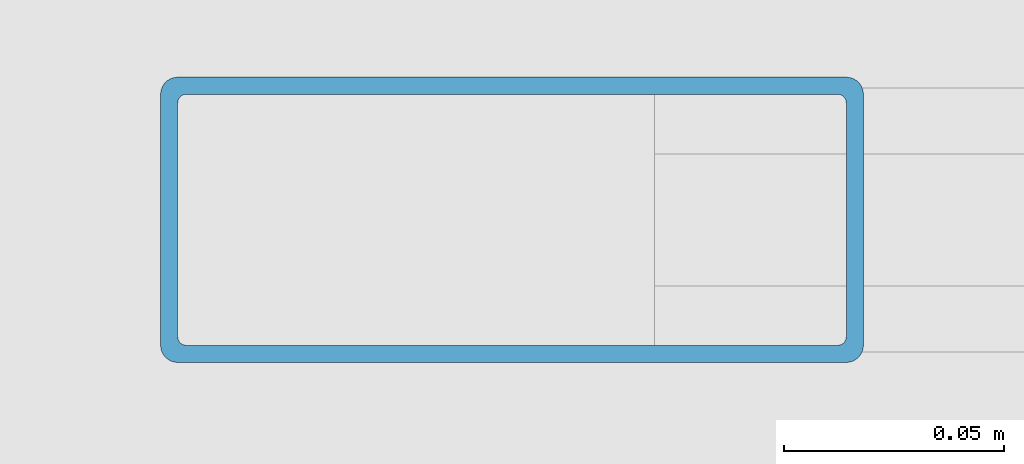
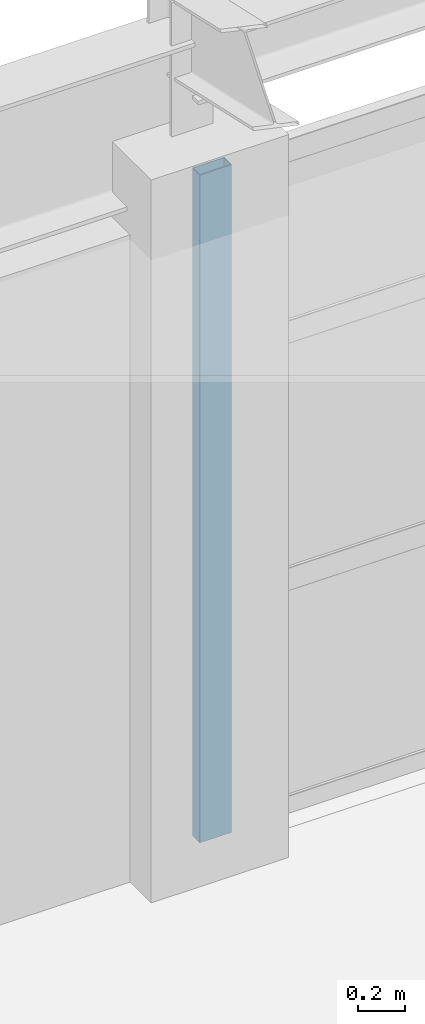
# One storey, part 56 of 101: 1 member, 1 element without a shape of its own.
"""IFC4 building model written with IfcOpenShell, lengths in metres."""

from ifc_helpers import new_model, si_unit, direction, frame, origin, origin_2d, place, context, subcontext, project, spatial, hollow_rectangle, extrude, material, layer, layer_set, material_profile, profile_set, type_object, element, aggregate, save


model = new_model("IFC4")

# Units and contexts
model_context = context("Model", 3, precision=1e-05, world=origin(), true_north=direction((0.0, 1.0)))
body_context = subcontext(model_context, "Body", "Model", "MODEL_VIEW")
ifc_project = project(units=[si_unit("LENGTHUNIT", "METRE"), si_unit("AREAUNIT", "SQUARE_METRE"), si_unit("VOLUMEUNIT", "CUBIC_METRE"), si_unit("PLANEANGLEUNIT", "RADIAN"), si_unit("MASSUNIT", "GRAM", prefix="KILO")], contexts=[model_context])

# Site, building, storey
site_placement = place(None, origin())
site = spatial("IfcSite", under=ifc_project, at=site_placement, CompositionType="ELEMENT")
building_placement = place(site_placement, origin())
building = spatial("IfcBuilding", under=site, at=building_placement, Name="Kemerveld Promenade Tramway Depot", CompositionType="ELEMENT")
storey_placement = place(building_placement, frame((0.0, 0.0, 9.89990234375)))
storey = spatial("IfcBuildingStorey", under=building, at=storey_placement, Name="L02", CompositionType="ELEMENT", Elevation=9.89990234375)

# Curtain wall, member
ifc_material_1 = material(Name="Bronze anodised aluminium and solar glass", Category="aluminium")
ifc_layer = layer(ifc_material_1, 0.159912109375)
ifc_layer_set = layer_set([ifc_layer], Name="CW-SYS-07")
curtain_wall_type = type_object("IfcCurtainWallType", Name="CW-SYS-07", PredefinedType="USERDEFINED", material=ifc_layer_set)
curtain_wall_placement = place(storey_placement, origin())
curtain_wall = element("IfcCurtainWall", 1, at=curtain_wall_placement, inside=storey, type_object=curtain_wall_type, Name="CW-L02-V4N-04", ObjectType="GLAZED_CURTAIN_WALL", PredefinedType="USERDEFINED")
ifc_material_2 = material(Name="Bronze anodised aluminium", Category="aluminium")
ifc_material_profile = material_profile(ifc_material_2, hollow_rectangle(XDim=0.06494140625, YDim=0.159912109375, WallThickness=0.00390625, InnerFilletRadius=0.001953125, OuterFilletRadius=0.00390625, at=origin_2d()), Name="CW-MUL-160x65")
ifc_profile_set = profile_set([ifc_material_profile], Name="Bronze anodised aluminium")
member_type = type_object("IfcMemberType", Name="CW-MUL-A", PredefinedType="MULLION", material=ifc_profile_set)
member_placement = place(storey_placement, frame((79.357421875, 28.800048828125, 0.0), z_axis=(0.0, 0.0, 1.0), x_axis=(0.0, 1.0, 0.0)))
member = element("IfcMember", 2, at=member_placement, type_object=member_type, Name="CW07 mullion 1", PredefinedType="MULLION", context=body_context, shape_type="SweptSolid", body=[
    extrude(hollow_rectangle(XDim=0.06494140625, YDim=0.159912109375, WallThickness=0.00390625, InnerFilletRadius=0.001953125, OuterFilletRadius=0.00390625, at=origin_2d()), origin(), (0.0, 0.0, 1.0), 3.492919921875),
])
aggregate(curtain_wall, [member])

save(model, "model.ifc")
